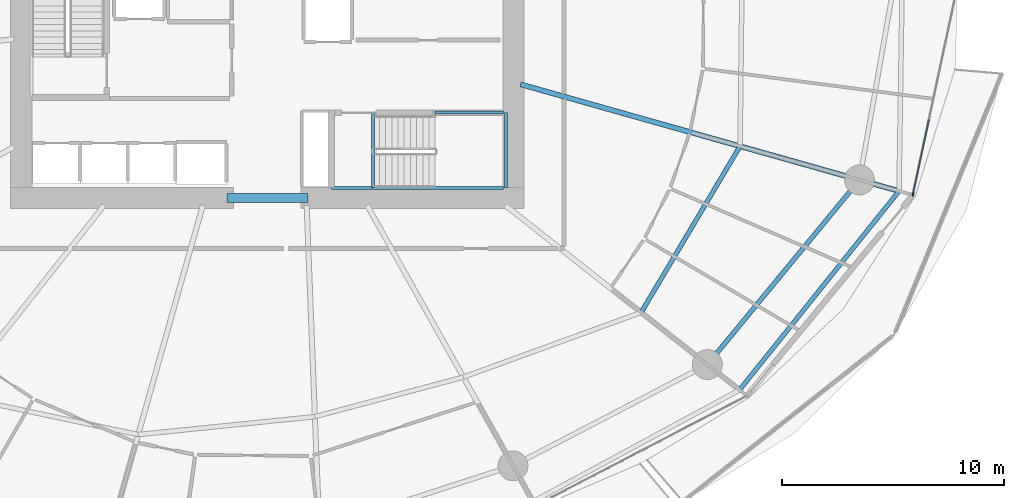
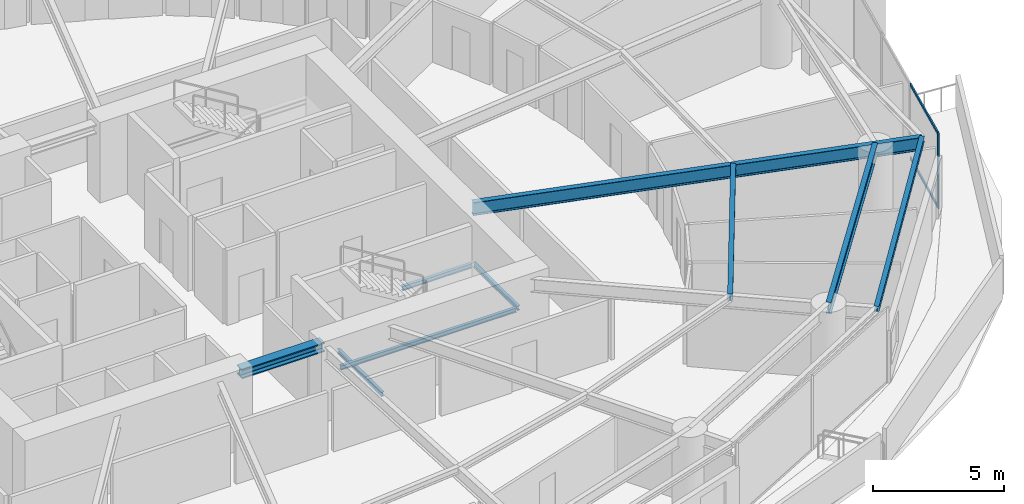
# One storey, part 10 of 31: 9 beams, 3 members, 1 element without a shape of its own.
"""IFC4 building model written with IfcOpenShell, lengths in metres."""

from ifc_helpers import new_model, si_unit, direction, frame, origin, origin_2d, place, context, subcontext, project, spatial, rectangle, i_section, extrude, material, layer, layer_set, material_profile, profile_set, type_object, element, aggregate, save


model = new_model("IFC4")

# Units and contexts
model_context = context("Model", 3, precision=1e-05, world=origin(), true_north=direction((0.0, 1.0)))
body_context = subcontext(model_context, "Body", "Model", "MODEL_VIEW")
ifc_project = project(units=[si_unit("LENGTHUNIT", "METRE"), si_unit("AREAUNIT", "SQUARE_METRE"), si_unit("VOLUMEUNIT", "CUBIC_METRE"), si_unit("PLANEANGLEUNIT", "RADIAN"), si_unit("MASSUNIT", "GRAM", prefix="KILO")], contexts=[model_context])

# Site, building, storey
site_placement = place(None, origin())
site = spatial("IfcSite", under=ifc_project, at=site_placement, CompositionType="ELEMENT")
building_placement = place(site_placement, origin())
building = spatial("IfcBuilding", under=site, at=building_placement, Name="Kazma Halo Residences", CompositionType="ELEMENT")
storey_placement = place(building_placement, frame((0.0, 0.0, 33.89990234375)))
storey = spatial("IfcBuildingStorey", under=building, at=storey_placement, Name="L07", CompositionType="ELEMENT", Elevation=33.89990234375)

# Beams
ifc_material_1 = material(Name="Steel S355", Category="steel")
ifc_material_profile_1 = material_profile(ifc_material_1, i_section(OverallWidth=0.201904296875, OverallDepth=0.2470703125, WebThickness=0.00732421875, FlangeThickness=0.010986328125, FilletRadius=0.011962890625, at=origin_2d()), Name="W250x49.1")
ifc_profile_set_1 = profile_set([ifc_material_profile_1], Name="Steel S355")
beam_type_1 = type_object("IfcBeamType", Name="BM-BAL-CANT", PredefinedType="BEAM", material=ifc_profile_set_1)
beam_1_placement = place(storey_placement, frame((69.728515625, 24.87060546875, 3.376708984375), z_axis=(0.625476617708, 0.780242911343, 0.0), x_axis=(-0.780242911343, 0.625476617708, 0.0)))
element("IfcBeam", 1, at=beam_1_placement, inside=storey, type_object=beam_type_1, Name="L07 wave-balcony tie beam 14", PredefinedType="BEAM", context=body_context, shape_type="SweptSolid", body=[
    extrude(i_section(OverallWidth=0.201904296875, OverallDepth=0.2470703125, WebThickness=0.00732421875, FlangeThickness=0.010986328125, FilletRadius=0.011962890625, at=origin_2d()), origin(), (0.0, 0.0, 1.0), 11.499755859375),
])
ifc_material_profile_2 = material_profile(ifc_material_1, i_section(OverallWidth=0.408935546875, OverallDepth=0.425048828125, WebThickness=0.03271484375, FlangeThickness=0.052490234375, FilletRadius=0.02001953125, at=origin_2d()), Name="W360x421")
ifc_profile_set_2 = profile_set([ifc_material_profile_2], Name="Steel S355")
beam_type_2 = type_object("IfcBeamType", Name="BM-CORE-W360H", PredefinedType="BEAM", material=ifc_profile_set_2)
beam_2_placement = place(storey_placement, frame((46.60009765625, 33.52490234375, 3.28759765625), z_axis=(1.0, 0.0, 0.0), x_axis=(0.0, 1.0, 0.0)))
element("IfcBeam", 2, at=beam_2_placement, inside=storey, type_object=beam_type_2, Name="L07 core coupling beam S", PredefinedType="BEAM", context=body_context, shape_type="SweptSolid", body=[
    extrude(i_section(OverallWidth=0.408935546875, OverallDepth=0.425048828125, WebThickness=0.03271484375, FlangeThickness=0.052490234375, FilletRadius=0.02001953125, at=origin_2d()), origin(), (0.0, 0.0, 1.0), 3.64990234375),
])
ifc_material_profile_3 = material_profile(ifc_material_1, i_section(OverallWidth=0.22802734375, OverallDepth=0.60791015625, WebThickness=0.01123046875, FlangeThickness=0.017333984375, FilletRadius=0.01806640625, at=origin_2d()), Name="W610x113")
ifc_profile_set_3 = profile_set([ifc_material_profile_3], Name="Steel S355")
beam_type_3 = type_object("IfcBeamType", Name="BM-RAD-W610", PredefinedType="BEAM", material=ifc_profile_set_3)
beam_3_placement = place(storey_placement, frame((59.85009765625, 38.657958984375, 3.196044921875), z_axis=(0.962453825278, -0.271445453468, 0.0), x_axis=(0.271445453468, 0.962453825278, 0.0)))
element("IfcBeam", 3, at=beam_3_placement, inside=storey, type_object=beam_type_3, Name="L07 radial floor beam 15", PredefinedType="BEAM", context=body_context, shape_type="SweptSolid", body=[
    extrude(i_section(OverallWidth=0.22802734375, OverallDepth=0.60791015625, WebThickness=0.01123046875, FlangeThickness=0.017333984375, FilletRadius=0.01806640625, at=origin_2d()), origin(), (0.0, 0.0, 1.0), 17.7373046875),
])
ifc_material_profile_4 = material_profile(ifc_material_1, i_section(OverallWidth=0.202880859375, OverallDepth=0.302978515625, WebThickness=0.007568359375, FlangeThickness=0.01318359375, FilletRadius=0.013916015625, at=origin_2d()), Name="W310x60")
ifc_profile_set_4 = profile_set([ifc_material_profile_4], Name="Steel S355")
beam_type_4 = type_object("IfcBeamType", Name="BM-SEC-W310A", PredefinedType="JOIST", material=ifc_profile_set_4)
beam_4_placement = place(storey_placement, frame((65.291015625, 28.368896484375, 3.3486328125), z_axis=(0.511331320511, 0.859383663252, 0.0), x_axis=(-0.859383663252, 0.511331320511, 0.0)))
element("IfcBeam", 4, at=beam_4_placement, inside=storey, type_object=beam_type_4, Name="L07 circumferential floor joist 14", PredefinedType="JOIST", context=body_context, shape_type="SweptSolid", body=[
    extrude(i_section(OverallWidth=0.202880859375, OverallDepth=0.302978515625, WebThickness=0.007568359375, FlangeThickness=0.01318359375, FilletRadius=0.013916015625, at=origin_2d()), origin(), (0.0, 0.0, 1.0), 8.72314453125),
])
ifc_material_profile_5 = material_profile(ifc_material_1, i_section(OverallWidth=0.208984375, OverallDepth=0.532958984375, WebThickness=0.01025390625, FlangeThickness=0.015625, FilletRadius=0.01611328125, at=origin_2d()), Name="W530x92")
ifc_profile_set_5 = profile_set([ifc_material_profile_5], Name="Steel S355")
beam_type_5 = type_object("IfcBeamType", Name="BM-SPN-W530", PredefinedType="BEAM", material=ifc_profile_set_5)
beam_5_placement = place(storey_placement, frame((68.27587890625, 26.015869140625, 3.233642578125), z_axis=(0.636001336663, 0.771687954916, 0.0), x_axis=(-0.771687954916, 0.636001336663, 0.0)))
element("IfcBeam", 5, at=beam_5_placement, inside=storey, type_object=beam_type_5, Name="L07 perimeter ring beam 14", PredefinedType="BEAM", context=body_context, shape_type="SweptSolid", body=[
    extrude(i_section(OverallWidth=0.208984375, OverallDepth=0.532958984375, WebThickness=0.01025390625, FlangeThickness=0.015625, FilletRadius=0.01611328125, at=origin_2d()), origin(), (0.0, 0.0, 1.0), 10.7939453125),
])
ifc_material_profile_6 = material_profile(ifc_material_1, i_section(OverallWidth=0.133056640625, OverallDepth=0.20703125, WebThickness=0.005859375, FlangeThickness=0.00830078125, FilletRadius=0.010009765625, at=origin_2d()), Name="W200x26.6")
ifc_profile_set_6 = profile_set([ifc_material_profile_6], Name="Steel S355")
beam_type_6 = type_object("IfcBeamType", Name="BM-TRIM-W200", PredefinedType="BEAM", material=ifc_profile_set_6)
beam_6_placement = place(storey_placement, frame((53.199951171875, 34.0, -0.35986328125), z_axis=(0.0, 1.0, 0.0), x_axis=(-1.0, 0.0, 0.0)))
element("IfcBeam", 6, at=beam_6_placement, inside=storey, type_object=beam_type_6, Name="L07 ST-03 floor landing support beam", PredefinedType="BEAM", context=body_context, shape_type="SweptSolid", body=[
    extrude(i_section(OverallWidth=0.133056640625, OverallDepth=0.20703125, WebThickness=0.005859375, FlangeThickness=0.00830078125, FilletRadius=0.010009765625, at=origin_2d()), origin(), (0.0, 0.0, 1.0), 3.3798828125),
])
beam_7_placement = place(storey_placement, frame((51.31005859375, 33.97998046875, 1.570068359375), z_axis=(1.0, 0.0, 0.0), x_axis=(0.0, 1.0, 0.0)))
element("IfcBeam", 7, at=beam_7_placement, inside=storey, type_object=beam_type_6, Name="L07 ST-03 landing south wall ledger", PredefinedType="BEAM", context=body_context, shape_type="SweptSolid", body=[
    extrude(i_section(OverallWidth=0.133056640625, OverallDepth=0.20703125, WebThickness=0.005859375, FlangeThickness=0.00830078125, FilletRadius=0.010009765625, at=origin_2d()), origin(), (0.0, 0.0, 1.0), 7.760009765625),
])
beam_8_placement = place(storey_placement, frame((56.0, 37.3798828125, 1.570068359375), z_axis=(1.0, 0.0, 0.0), x_axis=(0.0, 1.0, 0.0)))
element("IfcBeam", 8, at=beam_8_placement, inside=storey, type_object=beam_type_6, Name="L07 ST-03 landing north wall ledger", PredefinedType="BEAM", context=body_context, shape_type="SweptSolid", body=[
    extrude(i_section(OverallWidth=0.133056640625, OverallDepth=0.20703125, WebThickness=0.005859375, FlangeThickness=0.00830078125, FilletRadius=0.010009765625, at=origin_2d()), origin(), (0.0, 0.0, 1.0), 3.070068359375),
])
beam_9_placement = place(storey_placement, frame((59.18994140625, 33.97998046875, 1.570068359375), z_axis=(0.0, 1.0, 0.0), x_axis=(-1.0, 0.0, 0.0)))
element("IfcBeam", 9, at=beam_9_placement, inside=storey, type_object=beam_type_6, Name="L07 ST-03 landing end wall ledger", PredefinedType="BEAM", context=body_context, shape_type="SweptSolid", body=[
    extrude(i_section(OverallWidth=0.133056640625, OverallDepth=0.20703125, WebThickness=0.005859375, FlangeThickness=0.00830078125, FilletRadius=0.010009765625, at=origin_2d()), origin(), (0.0, 0.0, 1.0), 3.39990234375),
])

# Curtain wall, members
ifc_material_2 = material(Name="Aluminium AW-6063 T6 and Triple-Silver Low-E Glass", Category="aluminium")
ifc_layer = layer(ifc_material_2, 0.159912109375)
ifc_layer_set = layer_set([ifc_layer], Name="Aluminium AW-6063 T6 and Triple-Silver Low-E Glass")
curtain_wall_type = type_object("IfcCurtainWallType", Name="CW-SYS-2", PredefinedType="NOTDEFINED", material=ifc_layer_set)
curtain_wall_placement = place(storey_placement, origin())
curtain_wall = element("IfcCurtainWall", 10, at=curtain_wall_placement, inside=storey, type_object=curtain_wall_type, Name="L07 unitised curtain wall B15", PredefinedType="NOTDEFINED")
ifc_material_3 = material(Name="Aluminium AW-6063 T6", Category="aluminium")
ifc_material_profile_7 = material_profile(ifc_material_3, rectangle(XDim=0.06005859375, YDim=0.159912109375, at=origin_2d()), Name="CWM-60x160")
ifc_profile_set_7 = profile_set([ifc_material_profile_7], Name="Aluminium AW-6063 T6")
member_type_1 = type_object("IfcMemberType", Name="CW-SYS-2-MUL", PredefinedType="MULLION", material=ifc_profile_set_7)
member_1_placement = place(storey_placement, frame((77.552978515625, 33.6962890625, 0.0), z_axis=(0.0, 0.0, 1.0), x_axis=(-0.977779215096, 0.209637321406, 0.0)))
member_1 = element("IfcMember", 11, at=member_1_placement, type_object=member_type_1, Name="CWS-2 mullion 1", PredefinedType="MULLION", context=body_context, shape_type="SweptSolid", body=[
    extrude(rectangle(XDim=0.06005859375, YDim=0.159912109375, at=origin_2d()), origin(), (0.0, 0.0, 1.0), 3.5),
])
ifc_material_profile_8 = material_profile(ifc_material_3, rectangle(XDim=0.06005859375, YDim=0.1201171875, at=origin_2d()), Name="CWT-60x120")
ifc_profile_set_8 = profile_set([ifc_material_profile_8], Name="Aluminium AW-6063 T6")
member_type_2 = type_object("IfcMemberType", Name="CW-SYS-2-TRN", PredefinedType="USERDEFINED", material=ifc_profile_set_8)
member_2_placement = place(storey_placement, frame((77.559326171875, 33.7255859375, 0.030029296875), z_axis=(0.209650877007, 0.977776308657, 0.0), x_axis=(-0.977776308657, 0.209650877007, 0.0)))
member_2 = element("IfcMember", 12, at=member_2_placement, type_object=member_type_2, Name="CWS-2 transom 1.1", ObjectType="TRANSOM", PredefinedType="USERDEFINED", context=body_context, shape_type="SweptSolid", body=[
    extrude(rectangle(XDim=0.06005859375, YDim=0.1201171875, at=origin_2d()), origin(), (0.0, 0.0, 1.0), 3.422607421875),
])
member_3_placement = place(storey_placement, frame((77.559326171875, 33.7255859375, 3.47021484375), z_axis=(0.209650877007, 0.977776308657, 0.0), x_axis=(-0.977776308657, 0.209650877007, 0.0)))
member_3 = element("IfcMember", 13, at=member_3_placement, type_object=member_type_2, Name="CWS-2 transom 1.2", ObjectType="TRANSOM", PredefinedType="USERDEFINED", context=body_context, shape_type="SweptSolid", body=[
    extrude(rectangle(XDim=0.06005859375, YDim=0.1201171875, at=origin_2d()), origin(), (0.0, 0.0, 1.0), 3.422607421875),
])
aggregate(curtain_wall, [member_1, member_2, member_3])

save(model, "model.ifc")
